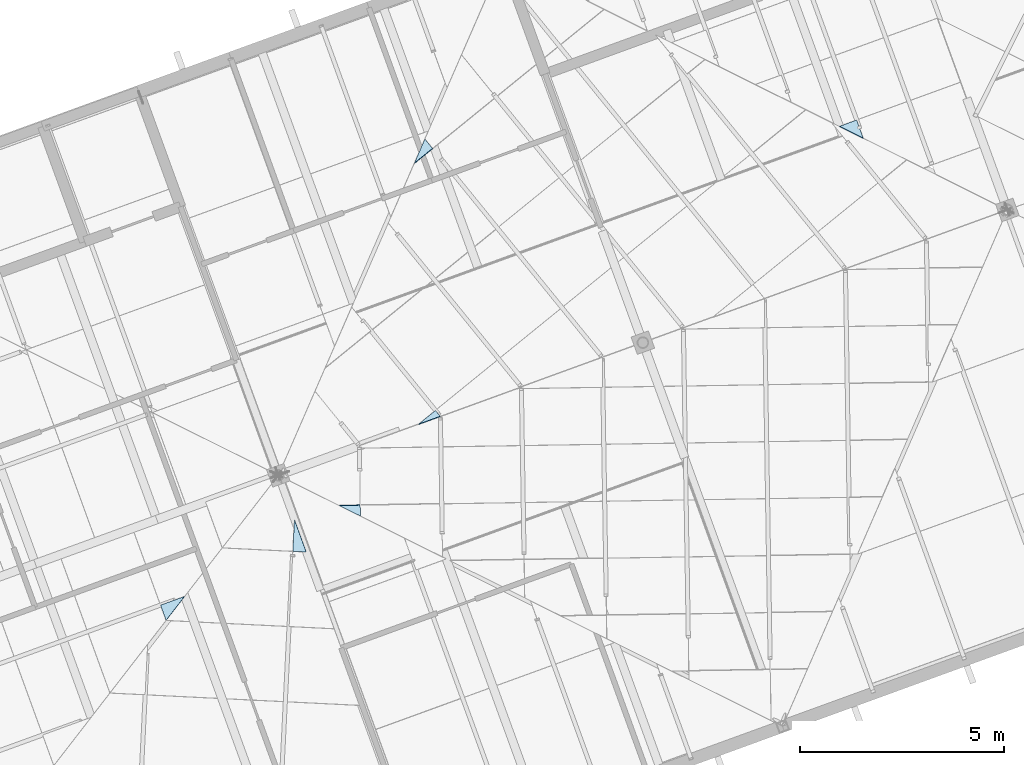
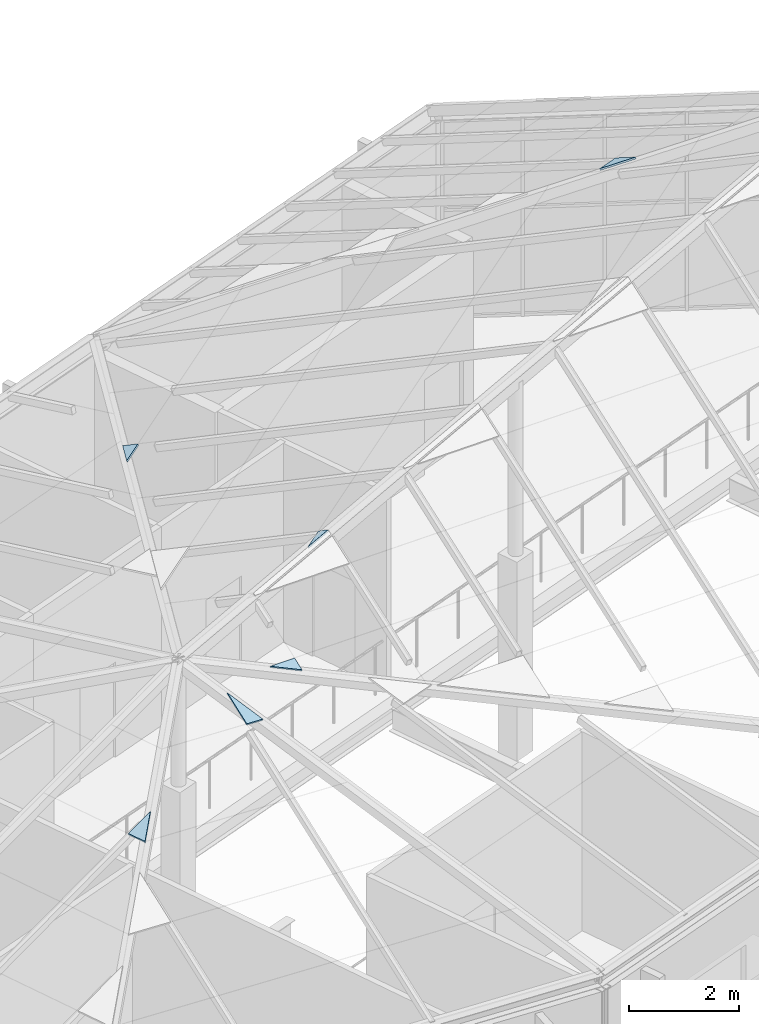
# One storey, part 47 of 95: 6 plates.
"""IFC4 building model written with IfcOpenShell, lengths in metres."""

from ifc_helpers import new_model, si_unit, direction, frame, origin, place, context, subcontext, project, spatial, polyline, outline, extrude, material, layer, layer_set, type_object, element, save


model = new_model("IFC4")

# Units and contexts
model_context = context("Model", 3, precision=1e-05, world=origin(), true_north=direction((0.0, 1.0)))
body_context = subcontext(model_context, "Body", "Model", "MODEL_VIEW")
ifc_project = project(units=[si_unit("LENGTHUNIT", "METRE"), si_unit("AREAUNIT", "SQUARE_METRE"), si_unit("VOLUMEUNIT", "CUBIC_METRE"), si_unit("PLANEANGLEUNIT", "RADIAN"), si_unit("MASSUNIT", "GRAM", prefix="KILO")], contexts=[model_context])

# Site, building, storey
site_placement = place(None, origin())
site = spatial("IfcSite", under=ifc_project, at=site_placement, CompositionType="ELEMENT")
building_placement = place(site_placement, origin())
building = spatial("IfcBuilding", under=site, at=building_placement, Name="Windward Yard Aquatics Centre", CompositionType="ELEMENT")
storey_placement = place(building_placement, frame((0.0, 0.0, 9.39990234375)))
storey = spatial("IfcBuildingStorey", under=building, at=storey_placement, Name="L02", CompositionType="ELEMENT", Elevation=9.39990234375)

# Plates
ifc_material = material(Name="Laminated glass, low-e coated", Category="glass")
ifc_layer = layer(ifc_material, 0.035888671875)
ifc_layer_set = layer_set([ifc_layer], Name="F roof glass panel 36")
plate_type = type_object("IfcPlateType", Name="F roof glass panel 36", PredefinedType="SHEET", material=ifc_layer_set)
plate_1_placement = place(storey_placement, frame((30.81640625, 97.298095703125, 7.984375), z_axis=(-0.149388551476, 0.409922185251, 0.899803791238), x_axis=(0.939553259984, 0.342402791539, 0.0)))
element("IfcPlate", 1, at=plate_1_placement, inside=storey, type_object=plate_type, Name="F.RF.G.05.015", PredefinedType="SHEET", context=body_context, shape_type="SweptSolid", body=[
    extrude(outline(polyline([(0.0, 0.0), (0.445639, 0.0), (0.445601, -0.521526), (0.0, 0.0)])), origin(), (0.0, 0.0, -1.0), 0.035888671875),
])
plate_2_placement = place(storey_placement, frame((14.188720703125, 85.570556640625, 6.220703125), z_axis=(-0.234513082519, -0.085277484552, 0.968365305428), x_axis=(0.909919540198, 0.331327339856, 0.249536819388)))
element("IfcPlate", 2, at=plate_2_placement, inside=storey, type_object=plate_type, Name="F.RF.G.09.006", PredefinedType="SHEET", context=body_context, shape_type="SweptSolid", body=[
    extrude(outline(polyline([(0.0, 0.0), (0.644749, 0.0), (-0.000166, -0.394348), (0.0, 0.0)])), origin(), (0.0, 0.0, -1.0), 0.035888671875),
])
plate_3_placement = place(storey_placement, frame((17.427978515625, 86.8896484375, 6.710693359375), z_axis=(-0.012672652451, -0.256525207199, 0.966454459326), x_axis=(0.047776743941, 0.96527281389, 0.256838037492)))
element("IfcPlate", 3, at=plate_3_placement, inside=storey, type_object=plate_type, Name="F.RF.G.10.005", PredefinedType="SHEET", context=body_context, shape_type="SweptSolid", body=[
    extrude(outline(polyline([(0.0, 0.0), (0.802275, 0.0), (3e-05, -0.32657), (0.0, 0.0)])), origin(), (0.0, 0.0, -1.0), 0.035888671875),
])
plate_4_placement = place(storey_placement, frame((18.565185546875, 88.010009765625, 6.90478515625), z_axis=(0.005829260725, -0.360042574177, 0.932917662229), x_axis=(0.999868960002, 0.016188354591, 0.0)))
element("IfcPlate", 4, at=plate_4_placement, inside=storey, type_object=plate_type, Name="F.RF.G.12.045", PredefinedType="SHEET", context=body_context, shape_type="SweptSolid", body=[
    extrude(outline(polyline([(0.0, 0.0), (0.512763, 0.0), (0.512612, -0.28476), (0.0, 0.0)])), origin(), (0.0, 0.0, -1.0), 0.035888671875),
])
plate_5_placement = place(storey_placement, frame((20.505615234375, 90.002197265625, 7.660888671875), z_axis=(-0.226795028643, 0.279018648562, 0.933119825498), x_axis=(0.775988248961, 0.630747364223, 0.0)))
element("IfcPlate", 5, at=plate_5_placement, inside=storey, type_object=plate_type, Name="F.RF.G.13.004", PredefinedType="SHEET", context=body_context, shape_type="SweptSolid", body=[
    extrude(outline(polyline([(0.0, 0.0), (0.534538, 0.0), (0.534548, -0.198264), (0.0, 0.0)])), origin(), (0.0, 0.0, -1.0), 0.035888671875),
])
plate_6_placement = place(storey_placement, frame((20.404541015625, 96.396728515625, 5.71923828125), z_axis=(-0.227087901212, 0.279587544815, 0.932878282472), x_axis=(0.393074447272, 0.902726107042, -0.174865818748)))
element("IfcPlate", 6, at=plate_6_placement, inside=storey, type_object=plate_type, Name="F.RF.G.13.008", PredefinedType="SHEET", context=body_context, shape_type="SweptSolid", body=[
    extrude(outline(polyline([(0.0, 0.0), (0.653403, 0.0), (0.499352, -0.277296), (0.0, 0.0)])), origin(), (0.0, 0.0, -1.0), 0.035888671875),
])

save(model, "model.ifc")
